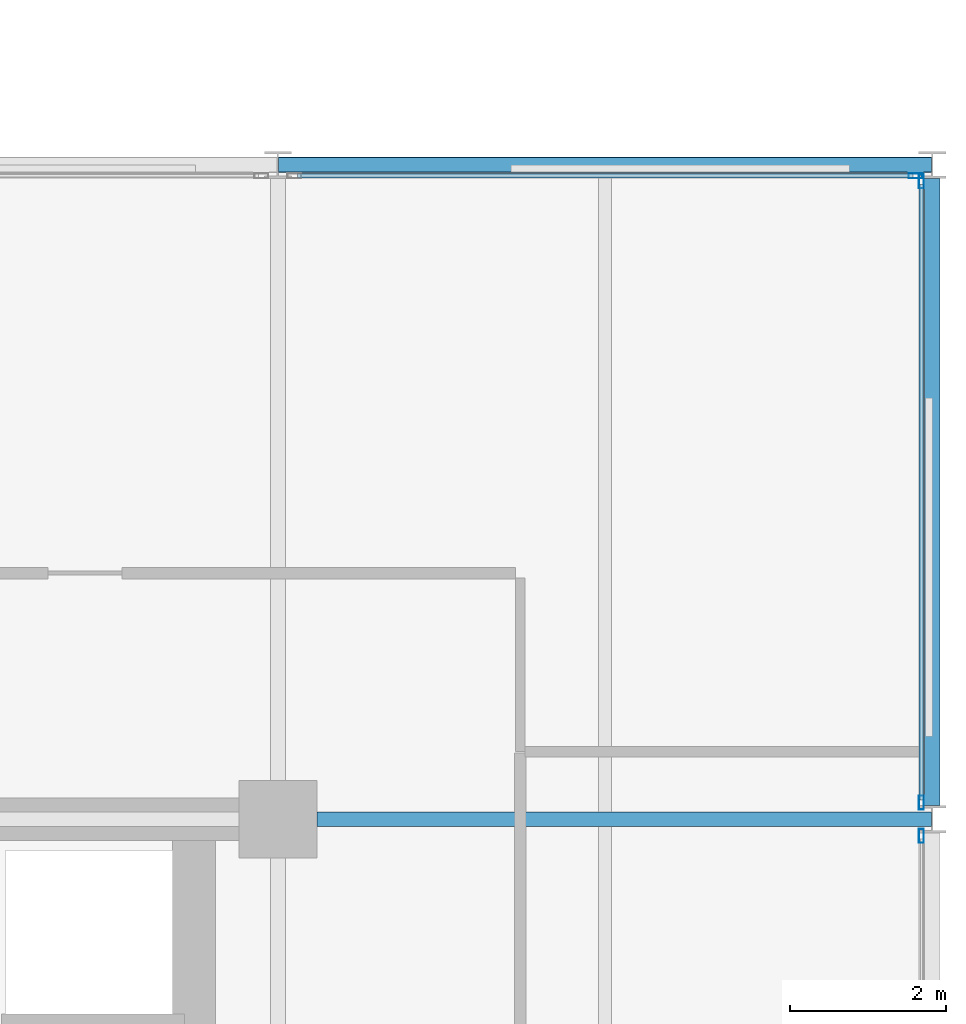
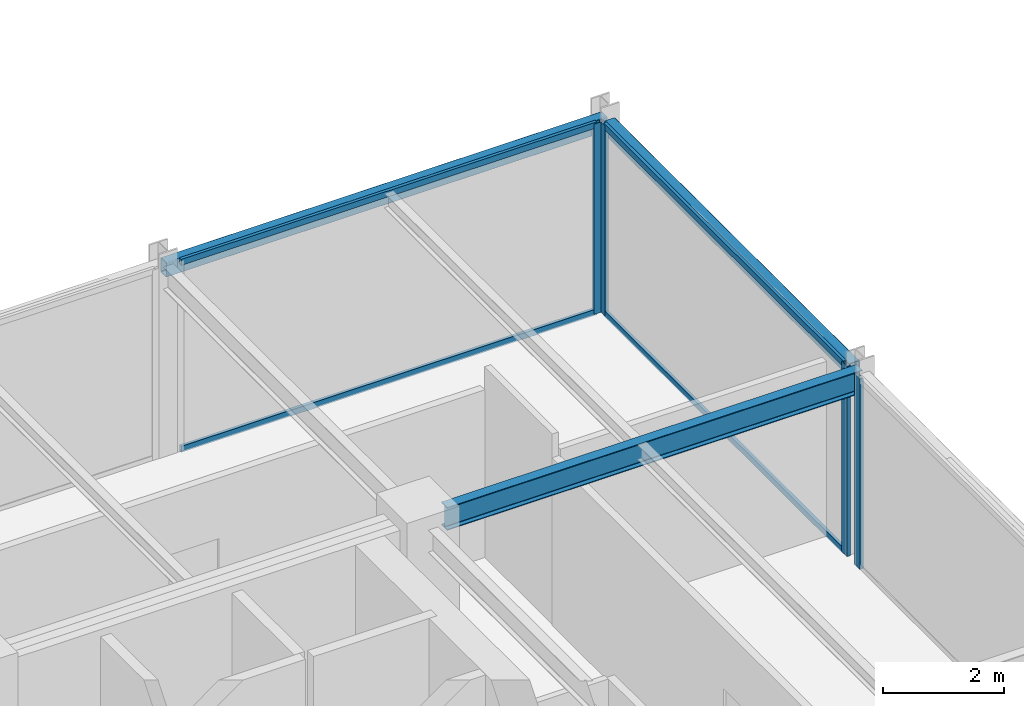
# One storey, part 16 of 29: 8 members, 3 beams, 3 elements without a shape of their own.
"""IFC4 building model written with IfcOpenShell, lengths in metres."""

from ifc_helpers import new_model, si_unit, direction, frame, origin, origin_2d, place, context, subcontext, project, spatial, hollow_rectangle, i_section, extrude, material, layer, layer_set, material_profile, profile_set, type_object, element, aggregate, save


model = new_model("IFC4")

# Units and contexts
model_context = context("Model", 3, precision=1e-05, world=origin(), true_north=direction((0.0, 1.0)))
body_context = subcontext(model_context, "Body", "Model", "MODEL_VIEW")
ifc_project = project(units=[si_unit("LENGTHUNIT", "METRE"), si_unit("AREAUNIT", "SQUARE_METRE"), si_unit("VOLUMEUNIT", "CUBIC_METRE"), si_unit("PLANEANGLEUNIT", "RADIAN"), si_unit("MASSUNIT", "GRAM", prefix="KILO")], contexts=[model_context])

# Site, building, storey
site_placement = place(None, origin())
site = spatial("IfcSite", under=ifc_project, at=site_placement, CompositionType="ELEMENT")
building_placement = place(site_placement, origin())
building = spatial("IfcBuilding", under=site, at=building_placement, Name="Nerrivon Quay Data Exchange", CompositionType="ELEMENT")
storey_placement = place(building_placement, frame((0.0, 0.0, 200.10009765625)))
storey = spatial("IfcBuildingStorey", under=building, at=storey_placement, Name="L47", CompositionType="ELEMENT", Elevation=200.10009765625)

# Beams
ifc_material_1 = material(Name="Steel Grade 350", Category="steel")
ifc_material_profile_1 = material_profile(ifc_material_1, i_section(OverallWidth=0.19091796875, OverallDepth=0.4599609375, WebThickness=0.010009765625, FlangeThickness=0.01611328125, FilletRadius=0.011474609375, at=origin_2d()), Name="460UB82.1")
ifc_profile_set_1 = profile_set([ifc_material_profile_1], Name="Steel Grade 350")
beam_type_1 = type_object("IfcBeamType", Name="BM-G5-460UB82", PredefinedType="BEAM", material=ifc_profile_set_1)
beam_1_placement = place(storey_placement, frame((34.10009765625, 16.800048828125, 3.594970703125), z_axis=(1.0, 0.0, 0.0), x_axis=(0.0, 1.0, 0.0)))
element("IfcBeam", 1, at=beam_1_placement, inside=storey, type_object=beam_type_1, Name="L47 EW Girder Y=16.8 (33.6..42.0)", PredefinedType="BEAM", context=body_context, shape_type="SweptSolid", body=[
    extrude(i_section(OverallWidth=0.19091796875, OverallDepth=0.4599609375, WebThickness=0.010009765625, FlangeThickness=0.01611328125, FilletRadius=0.011474609375, at=origin_2d()), origin(), (0.0, 0.0, 1.0), 7.889892578125),
])
ifc_material_2 = material(Name="Steel Grade C350L0 (350 MPa)", Category="steel")
ifc_material_profile_2 = material_profile(ifc_material_2, hollow_rectangle(XDim=0.199951171875, YDim=0.300048828125, WallThickness=0.012451171875, InnerFilletRadius=0.018798828125, OuterFilletRadius=0.03125, at=origin_2d()), Name="300x200x12.5RHS")
ifc_profile_set_2 = profile_set([ifc_material_profile_2], Name="Steel Grade C350L0 (350 MPa)")
beam_type_2 = type_object("IfcBeamType", Name="BM-SP3-300x200RHS", PredefinedType="SPANDREL", material=ifc_profile_set_2)
beam_2_placement = place(storey_placement, frame((33.610107421875, 25.199951171875, 3.6748046875), z_axis=(1.0, 0.0, 0.0), x_axis=(0.0, 1.0, 0.0)))
element("IfcBeam", 2, at=beam_2_placement, inside=storey, type_object=beam_type_2, Name="L47 EW Girder Y=25.2 (33.6..42.0)", PredefinedType="SPANDREL", context=body_context, shape_type="SweptSolid", body=[
    extrude(hollow_rectangle(XDim=0.199951171875, YDim=0.300048828125, WallThickness=0.012451171875, InnerFilletRadius=0.018798828125, OuterFilletRadius=0.03125, at=origin_2d()), origin(), (0.0, 0.0, 1.0), 8.3798828125),
])
beam_3_placement = place(storey_placement, frame((42.0, 16.97509765625, 3.6748046875), z_axis=(0.0, 1.0, 0.0), x_axis=(-1.0, 0.0, 0.0)))
element("IfcBeam", 3, at=beam_3_placement, inside=storey, type_object=beam_type_2, Name="L47 NS Girder X=42.0 (16.8..25.2)", PredefinedType="SPANDREL", context=body_context, shape_type="SweptSolid", body=[
    extrude(hollow_rectangle(XDim=0.199951171875, YDim=0.300048828125, WallThickness=0.012451171875, InnerFilletRadius=0.018798828125, OuterFilletRadius=0.03125, at=origin_2d()), origin(), (0.0, 0.0, 1.0), 8.0498046875),
])

# Curtain wall, member
ifc_material_3 = material(Name="Anodised aluminium 6063-T6", Category="aluminium")
ifc_layer = layer(ifc_material_3, 0.195068359375)
ifc_layer_set = layer_set([ifc_layer], Name="Anodised aluminium 6063-T6")
curtain_wall_type = type_object("IfcCurtainWallType", Name="CW-SYS-06", PredefinedType="NOTDEFINED", material=ifc_layer_set)
curtain_wall_1_placement = place(storey_placement, origin())
curtain_wall_1 = element("IfcCurtainWall", 4, at=curtain_wall_1_placement, inside=storey, type_object=curtain_wall_type, Name="L47 Unitised Curtain Wall 17", PredefinedType="NOTDEFINED")
ifc_material_profile_3 = material_profile(ifc_material_3, hollow_rectangle(XDim=0.06494140625, YDim=0.179931640625, WallThickness=0.00341796875, at=origin_2d()), Name="ALU-MULL-180x65")
ifc_profile_set_3 = profile_set([ifc_material_profile_3], Name="Anodised aluminium 6063-T6")
member_type_1 = type_object("IfcMemberType", Name="CWM-180x65", PredefinedType="MULLION", material=ifc_profile_set_3)
member_1_placement = place(storey_placement, frame((41.78759765625, 25.06005859375, 0.0), z_axis=(0.0, 0.0, 1.0), x_axis=(0.0, 1.0, 0.0)))
member_1 = element("IfcMember", 5, at=member_1_placement, type_object=member_type_1, Name="CW06 mullion 2", PredefinedType="MULLION", context=body_context, shape_type="SweptSolid", body=[
    extrude(hollow_rectangle(XDim=0.06494140625, YDim=0.179931640625, WallThickness=0.00341796875, at=origin_2d()), origin(), (0.0, 0.0, 1.0), 3.824951171875),
])

# Curtain wall, members
curtain_wall_2_placement = place(storey_placement, origin())
curtain_wall_2 = element("IfcCurtainWall", 6, at=curtain_wall_2_placement, inside=storey, type_object=curtain_wall_type, Name="L47 Unitised Curtain Wall 18", PredefinedType="NOTDEFINED")
member_2_placement = place(storey_placement, frame((41.860107421875, 24.987548828125, 0.0), z_axis=(0.0, 0.0, 1.0), x_axis=(1.0, 0.0, 0.0)))
member_2 = element("IfcMember", 7, at=member_2_placement, type_object=member_type_1, Name="CW06 mullion 1", PredefinedType="MULLION", context=body_context, shape_type="SweptSolid", body=[
    extrude(hollow_rectangle(XDim=0.06494140625, YDim=0.179931640625, WallThickness=0.00341796875, at=origin_2d()), origin(), (0.0, 0.0, 1.0), 3.824951171875),
])
member_3_placement = place(storey_placement, frame((41.860107421875, 17.012451171875, 0.0), z_axis=(0.0, 0.0, 1.0), x_axis=(1.0, 0.0, 0.0)))
member_3 = element("IfcMember", 8, at=member_3_placement, type_object=member_type_1, Name="CW06 mullion 2", PredefinedType="MULLION", context=body_context, shape_type="SweptSolid", body=[
    extrude(hollow_rectangle(XDim=0.06494140625, YDim=0.179931640625, WallThickness=0.00341796875, at=origin_2d()), origin(), (0.0, 0.0, 1.0), 3.824951171875),
])

# Curtain wall, member
curtain_wall_3_placement = place(storey_placement, origin())
curtain_wall_3 = element("IfcCurtainWall", 9, at=curtain_wall_3_placement, inside=storey, type_object=curtain_wall_type, Name="L47 Unitised Curtain Wall 19", PredefinedType="NOTDEFINED")
member_4_placement = place(storey_placement, frame((41.860107421875, 16.58740234375, 0.0), z_axis=(0.0, 0.0, 1.0), x_axis=(1.0, 0.0, 0.0)))
member_4 = element("IfcMember", 10, at=member_4_placement, type_object=member_type_1, Name="CW06 mullion 1", PredefinedType="MULLION", context=body_context, shape_type="SweptSolid", body=[
    extrude(hollow_rectangle(XDim=0.06494140625, YDim=0.179931640625, WallThickness=0.00341796875, at=origin_2d()), origin(), (0.0, 0.0, 1.0), 3.824951171875),
])
aggregate(curtain_wall_3, [member_4])

# Member
ifc_material_profile_4 = material_profile(ifc_material_3, hollow_rectangle(XDim=0.06005859375, YDim=0.1201171875, WallThickness=0.003173828125, at=origin_2d()), Name="ALU-TRAN-120x60")
ifc_profile_set_4 = profile_set([ifc_material_profile_4], Name="Anodised aluminium 6063-T6")
member_type_2 = type_object("IfcMemberType", Name="CWT-120x60", PredefinedType="USERDEFINED", material=ifc_profile_set_4)
member_5_placement = place(storey_placement, frame((33.85009765625, 25.06005859375, 0.032470703125), z_axis=(1.0, 0.0, 0.0), x_axis=(0.0, 1.0, 0.0)))
member_5 = element("IfcMember", 11, at=member_5_placement, type_object=member_type_2, Name="CW06 transom 1.1", ObjectType="TRANSOM", PredefinedType="USERDEFINED", context=body_context, shape_type="SweptSolid", body=[
    extrude(hollow_rectangle(XDim=0.06005859375, YDim=0.1201171875, WallThickness=0.003173828125, at=origin_2d()), origin(), (0.0, 0.0, 1.0), 7.89990234375),
])

member_6_placement = place(storey_placement, frame((33.85009765625, 25.06005859375, 3.79248046875), z_axis=(1.0, 0.0, 0.0), x_axis=(0.0, 1.0, 0.0)))
member_6 = element("IfcMember", 12, at=member_6_placement, type_object=member_type_2, Name="CW06 transom 1.2", ObjectType="TRANSOM", PredefinedType="USERDEFINED", context=body_context, shape_type="SweptSolid", body=[
    extrude(hollow_rectangle(XDim=0.06005859375, YDim=0.1201171875, WallThickness=0.003173828125, at=origin_2d()), origin(), (0.0, 0.0, 1.0), 7.89990234375),
])

aggregate(curtain_wall_1, [member_1, member_5, member_6])

member_7_placement = place(storey_placement, frame((41.860107421875, 24.949951171875, 0.032470703125), z_axis=(0.0, -1.0, 0.0), x_axis=(1.0, 0.0, 0.0)))
member_7 = element("IfcMember", 13, at=member_7_placement, type_object=member_type_2, Name="CW06 transom 1.1", ObjectType="TRANSOM", PredefinedType="USERDEFINED", context=body_context, shape_type="SweptSolid", body=[
    extrude(hollow_rectangle(XDim=0.06005859375, YDim=0.1201171875, WallThickness=0.003173828125, at=origin_2d()), origin(), (0.0, 0.0, 1.0), 7.89990234375),
])

member_8_placement = place(storey_placement, frame((41.860107421875, 24.949951171875, 3.79248046875), z_axis=(0.0, -1.0, 0.0), x_axis=(1.0, 0.0, 0.0)))
member_8 = element("IfcMember", 14, at=member_8_placement, type_object=member_type_2, Name="CW06 transom 1.2", ObjectType="TRANSOM", PredefinedType="USERDEFINED", context=body_context, shape_type="SweptSolid", body=[
    extrude(hollow_rectangle(XDim=0.06005859375, YDim=0.1201171875, WallThickness=0.003173828125, at=origin_2d()), origin(), (0.0, 0.0, 1.0), 7.89990234375),
])

aggregate(curtain_wall_2, [member_2, member_3, member_7, member_8])

save(model, "model.ifc")
